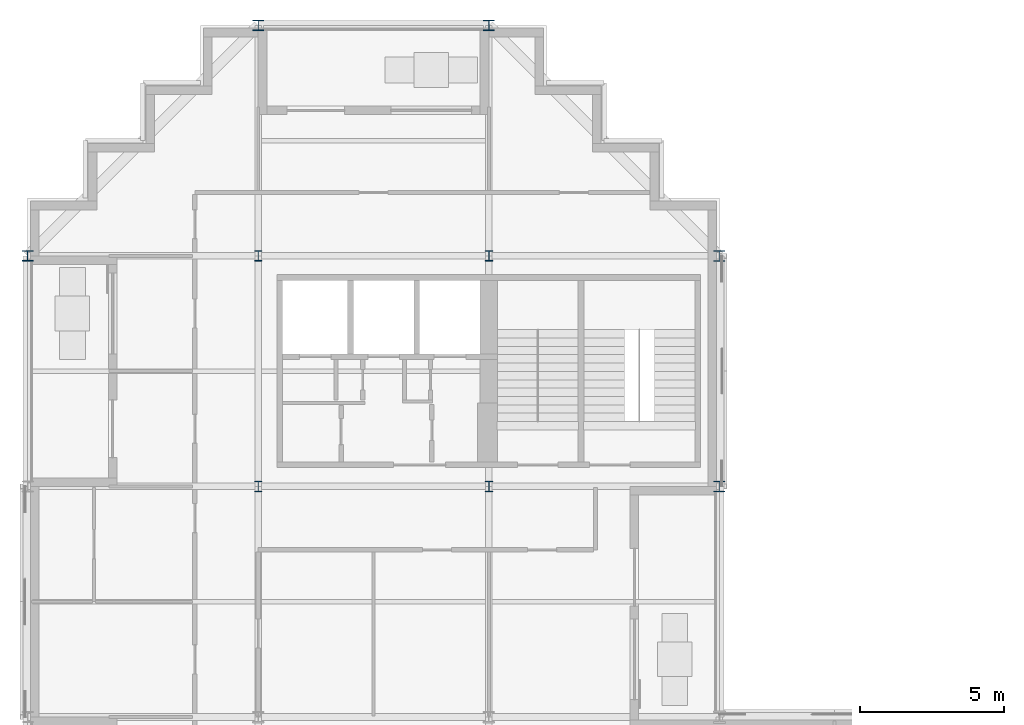
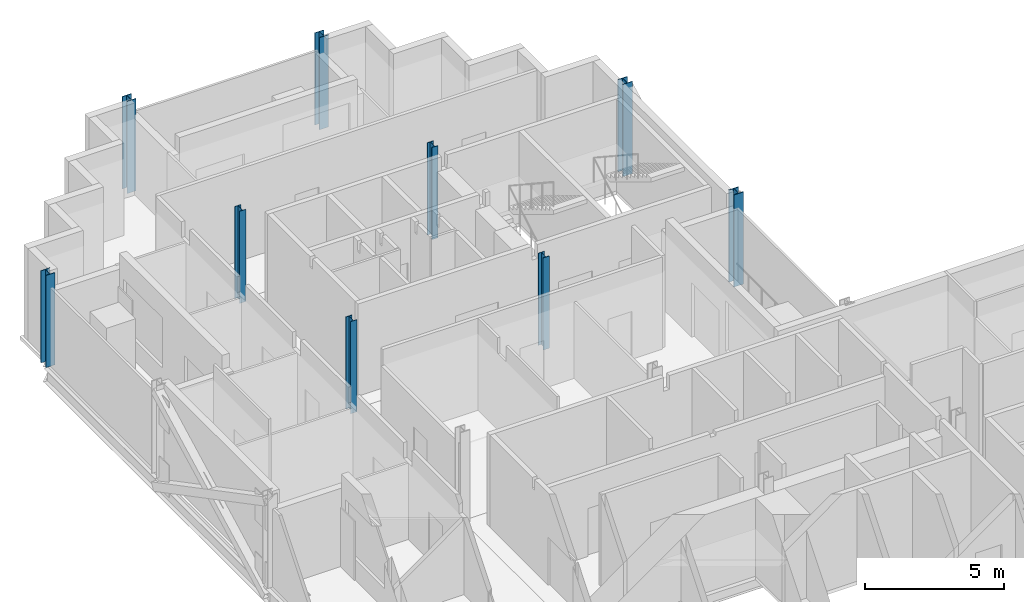
# One storey, part 2 of 13: 9 columns.
"""IFC4 building model written with IfcOpenShell, lengths in metres."""

from ifc_helpers import new_model, si_unit, direction, frame, origin, origin_2d, place, context, subcontext, project, spatial, i_section, extrude, material, material_profile, profile_set, type_object, element, save


model = new_model("IFC4")

# Units and contexts
model_context = context("Model", 3, precision=1e-05, world=origin(), true_north=direction((0.0, 1.0)))
body_context = subcontext(model_context, "Body", "Model", "MODEL_VIEW")
ifc_project = project(units=[si_unit("LENGTHUNIT", "METRE"), si_unit("AREAUNIT", "SQUARE_METRE"), si_unit("VOLUMEUNIT", "CUBIC_METRE"), si_unit("PLANEANGLEUNIT", "RADIAN"), si_unit("MASSUNIT", "GRAM", prefix="KILO")], contexts=[model_context])

# Site, building, storey
site_placement = place(None, origin())
site = spatial("IfcSite", under=ifc_project, at=site_placement, CompositionType="ELEMENT")
building_placement = place(site_placement, origin())
building = spatial("IfcBuilding", under=site, at=building_placement, Name="Immortelle Media Tower", CompositionType="ELEMENT")
storey_placement = place(building_placement, frame((0.0, 0.0, 166.199951171875)))
storey = spatial("IfcBuildingStorey", under=building, at=storey_placement, Name="L34", CompositionType="ELEMENT", Elevation=166.199951171875)

# Columns
ifc_material = material(Name="Steel ASTM A992 Gr 50", Category="steel")
ifc_material_profile_1 = material_profile(ifc_material, i_section(OverallWidth=0.373046875, OverallDepth=0.367919921875, WebThickness=0.014892578125, FlangeThickness=0.02392578125, at=origin_2d()), Name="W14x120")
ifc_profile_set_1 = profile_set([ifc_material_profile_1], Name="Steel ASTM A992 Gr 50")
column_type_1 = type_object("IfcColumnType", Name="W14x120 column", PredefinedType="COLUMN", material=ifc_profile_set_1)
for number, where, z_axis, x_axis, name in (
    (1, (0.0, 40.0, 0.0), (0.0, 0.0, 1.0), (1.0, 0.0, 0.0), "Column 1/F"),
    (2, (8.0, 48.0, 0.0), (0.0, 0.0, 1.0), (1.0, 0.0, 0.0), "Column 2/G"),
    (3, (16.0, 48.0, 0.0), (0.0, 0.0, 1.0), (1.0, 0.0, 0.0), "Column 3/G"),
):
    element("IfcColumn", number, at=place(storey_placement, frame(where, z_axis=z_axis, x_axis=x_axis)), inside=storey, type_object=column_type_1, Name=name, PredefinedType="COLUMN", context=body_context, shape_type="SweptSolid", body=[
        extrude(i_section(OverallWidth=0.373046875, OverallDepth=0.367919921875, WebThickness=0.014892578125, FlangeThickness=0.02392578125, at=origin_2d()), origin(), (0.0, 0.0, 1.0), 4.050048828125),
    ])
ifc_material_profile_2 = material_profile(ifc_material, i_section(OverallWidth=0.39892578125, OverallDepth=0.385986328125, WebThickness=0.02099609375, FlangeThickness=0.032958984375, at=origin_2d()), Name="W14x176")
ifc_profile_set_2 = profile_set([ifc_material_profile_2], Name="Steel ASTM A992 Gr 50")
column_type_2 = type_object("IfcColumnType", Name="W14x176 column", PredefinedType="COLUMN", material=ifc_profile_set_2)
for number, where, z_axis, x_axis, name in (
    (4, (24.0, 32.0, 0.0), (0.0, 0.0, 1.0), (1.0, 0.0, 0.0), "Column 4/E"),
    (5, (24.0, 40.0, 0.0), (0.0, 0.0, 1.0), (1.0, 0.0, 0.0), "Column 4/F"),
):
    element("IfcColumn", number, at=place(storey_placement, frame(where, z_axis=z_axis, x_axis=x_axis)), inside=storey, type_object=column_type_2, Name=name, PredefinedType="COLUMN", context=body_context, shape_type="SweptSolid", body=[
        extrude(i_section(OverallWidth=0.39892578125, OverallDepth=0.385986328125, WebThickness=0.02099609375, FlangeThickness=0.032958984375, at=origin_2d()), origin(), (0.0, 0.0, 1.0), 4.050048828125),
    ])
ifc_material_profile_3 = material_profile(ifc_material, i_section(OverallWidth=0.257080078125, OverallDepth=0.363037109375, WebThickness=0.012939453125, FlangeThickness=0.02197265625, at=origin_2d()), Name="W14x82")
ifc_profile_set_3 = profile_set([ifc_material_profile_3], Name="Steel ASTM A992 Gr 50")
column_type_3 = type_object("IfcColumnType", Name="W14x82 column", PredefinedType="COLUMN", material=ifc_profile_set_3)
for number, where, z_axis, x_axis, name in (
    (6, (8.0, 32.0, 0.0), (0.0, 0.0, 1.0), (1.0, 0.0, 0.0), "Column 2/E"),
    (7, (8.0, 40.0, 0.0), (0.0, 0.0, 1.0), (1.0, 0.0, 0.0), "Column 2/F"),
    (8, (16.0, 32.0, 0.0), (0.0, 0.0, 1.0), (1.0, 0.0, 0.0), "Column 3/E"),
    (9, (16.0, 40.0, 0.0), (0.0, 0.0, 1.0), (1.0, 0.0, 0.0), "Column 3/F"),
):
    element("IfcColumn", number, at=place(storey_placement, frame(where, z_axis=z_axis, x_axis=x_axis)), inside=storey, type_object=column_type_3, Name=name, PredefinedType="COLUMN", context=body_context, shape_type="SweptSolid", body=[
        extrude(i_section(OverallWidth=0.257080078125, OverallDepth=0.363037109375, WebThickness=0.012939453125, FlangeThickness=0.02197265625, at=origin_2d()), origin(), (0.0, 0.0, 1.0), 4.050048828125),
    ])

save(model, "model.ifc")
